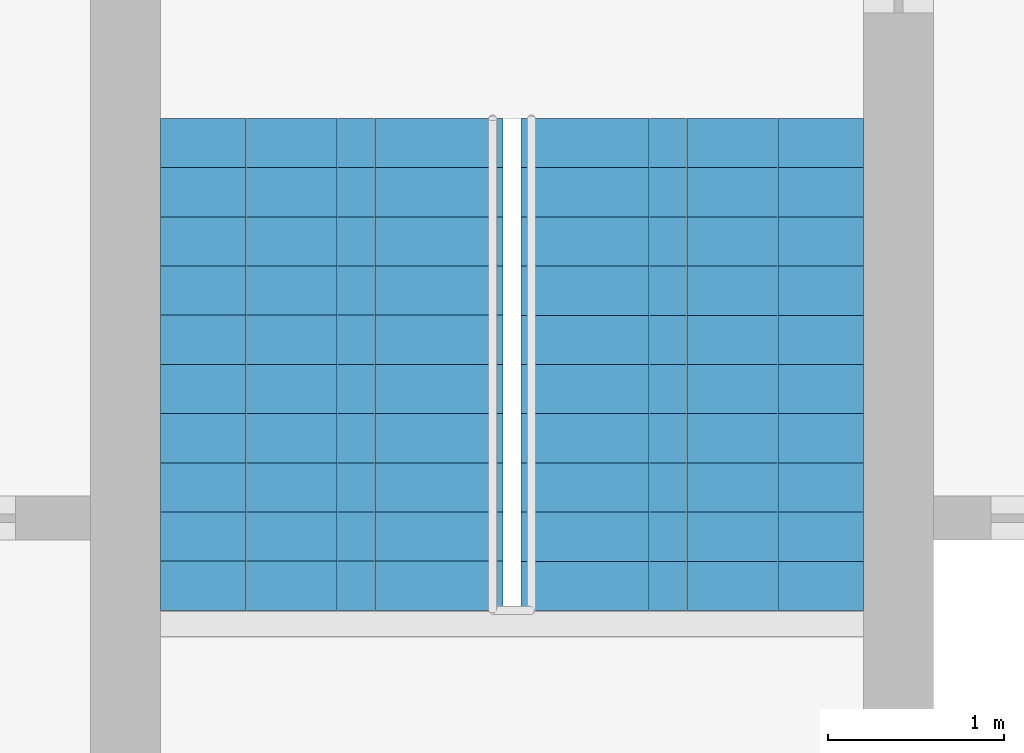
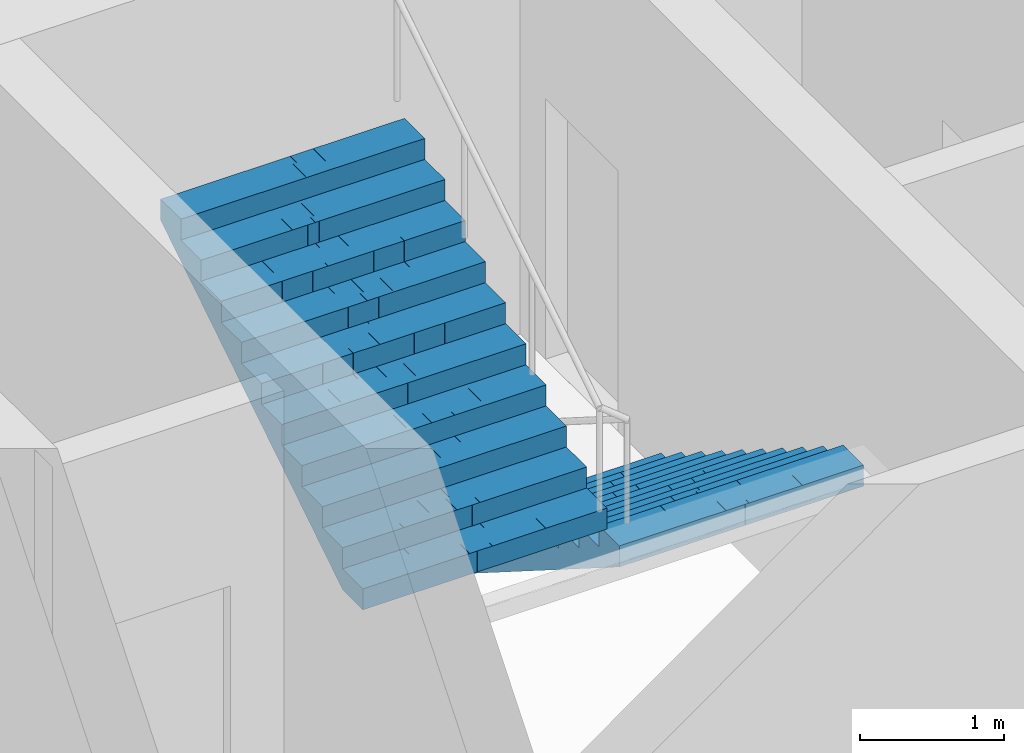
# One storey, part 21 of 22: 2 stair flights, 1 element without a shape of its own.
"""IFC4 building model written with IfcOpenShell, lengths in metres."""

from ifc_helpers import new_model, si_unit, direction, frame, origin, place, context, subcontext, project, spatial, polyline, outline, extrude, material, type_object, element, aggregate, save


model = new_model("IFC4")

# Units and contexts
model_context = context("Model", 3, precision=1e-05, world=origin(), true_north=direction((0.0, 1.0)))
body_context = subcontext(model_context, "Body", "Model", "MODEL_VIEW")
ifc_project = project(units=[si_unit("LENGTHUNIT", "METRE"), si_unit("AREAUNIT", "SQUARE_METRE"), si_unit("VOLUMEUNIT", "CUBIC_METRE"), si_unit("PLANEANGLEUNIT", "RADIAN"), si_unit("MASSUNIT", "GRAM", prefix="KILO")], contexts=[model_context])

# Site, building, storey
site_placement = place(None, origin())
site = spatial("IfcSite", under=ifc_project, at=site_placement, CompositionType="ELEMENT")
building_placement = place(site_placement, origin())
building = spatial("IfcBuilding", under=site, at=building_placement, Name="Mizan Broadcast Tower", CompositionType="ELEMENT")
storey_placement = place(building_placement, frame((0.0, 0.0, 105.89990234375)))
storey = spatial("IfcBuildingStorey", under=building, at=storey_placement, Name="L23", CompositionType="ELEMENT", Elevation=105.89990234375)

# Stair, stair flights
ifc_material_1 = material(Name="Concrete C40/50", Category="concrete")
stair_type = type_object("IfcStairType", Name="EXIT STAIR", PredefinedType="HALF_TURN_STAIR", material=ifc_material_1)
stair_placement = place(storey_placement, origin())
stair = element("IfcStair", 1, at=stair_placement, inside=storey, type_object=stair_type, Name="Stair B L23", PredefinedType="HALF_TURN_STAIR")
ifc_material_2 = material(Name="Concrete C40/50", Category="concrete")
stair_flight_type = type_object("IfcStairFlightType", Name="EXIT STAIR FLIGHT", PredefinedType="STRAIGHT", material=ifc_material_2)
stair_flight_1_placement = place(storey_placement, frame((1.02490234375, 7.89990234375, 0.0), z_axis=(0.0, 0.0, 1.0), x_axis=(0.0, -1.0, 0.0)))
stair_flight_1 = element("IfcStairFlight", 2, at=stair_flight_1_placement, type_object=stair_flight_type, Name="B flight 1", NumberOfRisers=11, NumberOfTreads=10, PredefinedType="STRAIGHT", RiserHeight=0.177272727, TreadLength=0.28, context=body_context, shape_type="SweptSolid", body=[
    extrude(outline(polyline([(0.0, 0.0), (0.0, 0.17724609375), (0.280029296875, 0.17724609375), (0.280029296875, 0.3544921875), (0.56005859375, 0.3544921875), (0.56005859375, 0.53173828125), (0.840087890625, 0.53173828125), (0.840087890625, 0.708984375), (1.1201171875, 0.708984375), (1.1201171875, 0.886474609375), (1.39990234375, 0.886474609375), (1.39990234375, 1.063720703125), (1.679931640625, 1.063720703125), (1.679931640625, 1.240966796875), (1.9599609375, 1.240966796875), (1.9599609375, 1.418212890625), (2.239990234375, 1.418212890625), (2.239990234375, 1.595458984375), (2.52001953125, 1.595458984375), (2.52001953125, 1.772705078125), (2.800048828125, 1.772705078125), (2.800048828125, 1.949951171875), (2.800048828125, 1.59521484375), (0.2802734375, 0.0), (0.0, 0.0)])), frame((0.0, 0.97509765625, 0.0), z_axis=(0.0, -1.0, 0.0), x_axis=(1.0, 0.0, 0.0)), (0.0, 0.0, 1.0), 0.4873046875),
    extrude(outline(polyline([(0.0, 0.0), (0.0, 0.17724609375), (0.280029296875, 0.17724609375), (0.280029296875, 0.3544921875), (0.56005859375, 0.3544921875), (0.56005859375, 0.53173828125), (0.840087890625, 0.53173828125), (0.840087890625, 0.708984375), (1.1201171875, 0.708984375), (1.1201171875, 0.886474609375), (1.39990234375, 0.886474609375), (1.39990234375, 1.063720703125), (1.679931640625, 1.063720703125), (1.679931640625, 1.240966796875), (1.9599609375, 1.240966796875), (1.9599609375, 1.418212890625), (2.239990234375, 1.418212890625), (2.239990234375, 1.595458984375), (2.52001953125, 1.595458984375), (2.52001953125, 1.772705078125), (2.800048828125, 1.772705078125), (2.800048828125, 1.949951171875), (2.800048828125, 1.59521484375), (0.2802734375, 0.0), (0.0, 0.0)])), frame((0.0, 0.4873046875, 0.0), z_axis=(0.0, -1.0, 0.0), x_axis=(1.0, 0.0, 0.0)), (0.0, 0.0, 1.0), 0.2431640625),
    extrude(outline(polyline([(0.0, 0.0), (0.0, 0.17724609375), (0.280029296875, 0.17724609375), (0.280029296875, 0.3544921875), (0.56005859375, 0.3544921875), (0.56005859375, 0.53173828125), (0.840087890625, 0.53173828125), (0.840087890625, 0.708984375), (1.1201171875, 0.708984375), (1.1201171875, 0.886474609375), (1.39990234375, 0.886474609375), (1.39990234375, 1.063720703125), (1.679931640625, 1.063720703125), (1.679931640625, 1.240966796875), (1.9599609375, 1.240966796875), (1.9599609375, 1.418212890625), (2.239990234375, 1.418212890625), (2.239990234375, 1.595458984375), (2.52001953125, 1.595458984375), (2.52001953125, 1.772705078125), (2.800048828125, 1.772705078125), (2.800048828125, 1.949951171875), (2.800048828125, 1.59521484375), (0.2802734375, 0.0), (0.0, 0.0)])), frame((0.0, 0.24365234375, 0.0), z_axis=(0.0, -1.0, 0.0), x_axis=(1.0, 0.0, 0.0)), (0.0, 0.0, 1.0), 0.121337890625),
    extrude(outline(polyline([(0.0, 0.0), (0.0, 0.17724609375), (0.280029296875, 0.17724609375), (0.280029296875, 0.3544921875), (0.56005859375, 0.3544921875), (0.56005859375, 0.53173828125), (0.840087890625, 0.53173828125), (0.840087890625, 0.708984375), (1.1201171875, 0.708984375), (1.1201171875, 0.886474609375), (1.39990234375, 0.886474609375), (1.39990234375, 1.063720703125), (1.679931640625, 1.063720703125), (1.679931640625, 1.240966796875), (1.9599609375, 1.240966796875), (1.9599609375, 1.418212890625), (2.239990234375, 1.418212890625), (2.239990234375, 1.595458984375), (2.52001953125, 1.595458984375), (2.52001953125, 1.772705078125), (2.800048828125, 1.772705078125), (2.800048828125, 1.949951171875), (2.800048828125, 1.59521484375), (0.2802734375, 0.0), (0.0, 0.0)])), frame((0.0, 0.121826171875, 0.0), z_axis=(0.0, -1.0, 0.0), x_axis=(1.0, 0.0, 0.0)), (0.0, 0.0, 1.0), 0.060546875),
    extrude(outline(polyline([(0.0, 0.0), (0.0, 0.17724609375), (0.280029296875, 0.17724609375), (0.280029296875, 0.3544921875), (0.56005859375, 0.3544921875), (0.56005859375, 0.53173828125), (0.840087890625, 0.53173828125), (0.840087890625, 0.708984375), (1.1201171875, 0.708984375), (1.1201171875, 0.886474609375), (1.39990234375, 0.886474609375), (1.39990234375, 1.063720703125), (1.679931640625, 1.063720703125), (1.679931640625, 1.240966796875), (1.9599609375, 1.240966796875), (1.9599609375, 1.418212890625), (2.239990234375, 1.418212890625), (2.239990234375, 1.595458984375), (2.52001953125, 1.595458984375), (2.52001953125, 1.772705078125), (2.800048828125, 1.772705078125), (2.800048828125, 1.949951171875), (2.800048828125, 1.59521484375), (0.2802734375, 0.0), (0.0, 0.0)])), frame((0.0, 0.060791015625, 0.0), z_axis=(0.0, -1.0, 0.0), x_axis=(1.0, 0.0, 0.0)), (0.0, 0.0, 1.0), 0.030029296875),
    extrude(outline(polyline([(0.0, 0.0), (0.0, 0.17724609375), (0.280029296875, 0.17724609375), (0.280029296875, 0.3544921875), (0.56005859375, 0.3544921875), (0.56005859375, 0.53173828125), (0.840087890625, 0.53173828125), (0.840087890625, 0.708984375), (1.1201171875, 0.708984375), (1.1201171875, 0.886474609375), (1.39990234375, 0.886474609375), (1.39990234375, 1.063720703125), (1.679931640625, 1.063720703125), (1.679931640625, 1.240966796875), (1.9599609375, 1.240966796875), (1.9599609375, 1.418212890625), (2.239990234375, 1.418212890625), (2.239990234375, 1.595458984375), (2.52001953125, 1.595458984375), (2.52001953125, 1.772705078125), (2.800048828125, 1.772705078125), (2.800048828125, 1.949951171875), (2.800048828125, 1.59521484375), (0.2802734375, 0.0), (0.0, 0.0)])), frame((0.0, 0.0302734375, 0.0), z_axis=(0.0, -1.0, 0.0), x_axis=(1.0, 0.0, 0.0)), (0.0, 0.0, 1.0), 0.060302734375),
    extrude(outline(polyline([(0.0, 0.0), (0.0, 0.17724609375), (0.280029296875, 0.17724609375), (0.280029296875, 0.3544921875), (0.56005859375, 0.3544921875), (0.56005859375, 0.53173828125), (0.840087890625, 0.53173828125), (0.840087890625, 0.708984375), (1.1201171875, 0.708984375), (1.1201171875, 0.886474609375), (1.39990234375, 0.886474609375), (1.39990234375, 1.063720703125), (1.679931640625, 1.063720703125), (1.679931640625, 1.240966796875), (1.9599609375, 1.240966796875), (1.9599609375, 1.418212890625), (2.239990234375, 1.418212890625), (2.239990234375, 1.595458984375), (2.52001953125, 1.595458984375), (2.52001953125, 1.772705078125), (2.800048828125, 1.772705078125), (2.800048828125, 1.949951171875), (2.800048828125, 1.59521484375), (0.2802734375, 0.0), (0.0, 0.0)])), frame((0.0, -0.030517578125, 0.0), z_axis=(0.0, -1.0, 0.0), x_axis=(1.0, 0.0, 0.0)), (0.0, 0.0, 1.0), 0.030029296875),
    extrude(outline(polyline([(0.0, 0.0), (0.0, 0.17724609375), (0.280029296875, 0.17724609375), (0.280029296875, 0.3544921875), (0.56005859375, 0.3544921875), (0.56005859375, 0.53173828125), (0.840087890625, 0.53173828125), (0.840087890625, 0.708984375), (1.1201171875, 0.708984375), (1.1201171875, 0.886474609375), (1.39990234375, 0.886474609375), (1.39990234375, 1.063720703125), (1.679931640625, 1.063720703125), (1.679931640625, 1.240966796875), (1.9599609375, 1.240966796875), (1.9599609375, 1.418212890625), (2.239990234375, 1.418212890625), (2.239990234375, 1.595458984375), (2.52001953125, 1.595458984375), (2.52001953125, 1.772705078125), (2.800048828125, 1.772705078125), (2.800048828125, 1.949951171875), (2.800048828125, 1.59521484375), (0.2802734375, 0.0), (0.0, 0.0)])), frame((0.0, -0.06103515625, 0.0), z_axis=(0.0, -1.0, 0.0), x_axis=(1.0, 0.0, 0.0)), (0.0, 0.0, 1.0), 0.060546875),
    extrude(outline(polyline([(0.0, 0.0), (0.0, 0.17724609375), (0.280029296875, 0.17724609375), (0.280029296875, 0.3544921875), (0.56005859375, 0.3544921875), (0.56005859375, 0.53173828125), (0.840087890625, 0.53173828125), (0.840087890625, 0.708984375), (1.1201171875, 0.708984375), (1.1201171875, 0.886474609375), (1.39990234375, 0.886474609375), (1.39990234375, 1.063720703125), (1.679931640625, 1.063720703125), (1.679931640625, 1.240966796875), (1.9599609375, 1.240966796875), (1.9599609375, 1.418212890625), (2.239990234375, 1.418212890625), (2.239990234375, 1.595458984375), (2.52001953125, 1.595458984375), (2.52001953125, 1.772705078125), (2.800048828125, 1.772705078125), (2.800048828125, 1.949951171875), (2.800048828125, 1.59521484375), (0.2802734375, 0.0), (0.0, 0.0)])), frame((0.0, -0.1220703125, 0.0), z_axis=(0.0, -1.0, 0.0), x_axis=(1.0, 0.0, 0.0)), (0.0, 0.0, 1.0), 0.121337890625),
    extrude(outline(polyline([(0.0, 0.0), (0.0, 0.17724609375), (0.280029296875, 0.17724609375), (0.280029296875, 0.3544921875), (0.56005859375, 0.3544921875), (0.56005859375, 0.53173828125), (0.840087890625, 0.53173828125), (0.840087890625, 0.708984375), (1.1201171875, 0.708984375), (1.1201171875, 0.886474609375), (1.39990234375, 0.886474609375), (1.39990234375, 1.063720703125), (1.679931640625, 1.063720703125), (1.679931640625, 1.240966796875), (1.9599609375, 1.240966796875), (1.9599609375, 1.418212890625), (2.239990234375, 1.418212890625), (2.239990234375, 1.595458984375), (2.52001953125, 1.595458984375), (2.52001953125, 1.772705078125), (2.800048828125, 1.772705078125), (2.800048828125, 1.949951171875), (2.800048828125, 1.59521484375), (0.2802734375, 0.0), (0.0, 0.0)])), frame((0.0, -0.243896484375, 0.0), z_axis=(0.0, -1.0, 0.0), x_axis=(1.0, 0.0, 0.0)), (0.0, 0.0, 1.0), 0.2431640625),
    extrude(outline(polyline([(0.0, 0.0), (0.0, 0.17724609375), (0.280029296875, 0.17724609375), (0.280029296875, 0.3544921875), (0.56005859375, 0.3544921875), (0.56005859375, 0.53173828125), (0.840087890625, 0.53173828125), (0.840087890625, 0.708984375), (1.1201171875, 0.708984375), (1.1201171875, 0.886474609375), (1.39990234375, 0.886474609375), (1.39990234375, 1.063720703125), (1.679931640625, 1.063720703125), (1.679931640625, 1.240966796875), (1.9599609375, 1.240966796875), (1.9599609375, 1.418212890625), (2.239990234375, 1.418212890625), (2.239990234375, 1.595458984375), (2.52001953125, 1.595458984375), (2.52001953125, 1.772705078125), (2.800048828125, 1.772705078125), (2.800048828125, 1.949951171875), (2.800048828125, 1.59521484375), (0.2802734375, 0.0), (0.0, 0.0)])), frame((0.0, -0.487548828125, 0.0), z_axis=(0.0, -1.0, 0.0), x_axis=(1.0, 0.0, 0.0)), (0.0, 0.0, 1.0), 0.4873046875),
])
stair_flight_2_placement = place(storey_placement, frame((-1.02490234375, 5.10009765625, 1.9501953125), z_axis=(0.0, 0.0, 1.0), x_axis=(0.0, 1.0, 0.0)))
stair_flight_2 = element("IfcStairFlight", 3, at=stair_flight_2_placement, type_object=stair_flight_type, Name="B flight 2", NumberOfRisers=11, NumberOfTreads=10, PredefinedType="STRAIGHT", RiserHeight=0.177272727, TreadLength=0.28, context=body_context, shape_type="SweptSolid", body=[
    extrude(outline(polyline([(0.0, 0.0), (0.0, 0.17724609375), (0.280029296875, 0.17724609375), (0.280029296875, 0.3544921875), (0.56005859375, 0.3544921875), (0.56005859375, 0.53173828125), (0.840087890625, 0.53173828125), (0.840087890625, 0.708984375), (1.1201171875, 0.708984375), (1.1201171875, 0.886474609375), (1.39990234375, 0.886474609375), (1.39990234375, 1.063720703125), (1.679931640625, 1.063720703125), (1.679931640625, 1.240966796875), (1.9599609375, 1.240966796875), (1.9599609375, 1.418212890625), (2.239990234375, 1.418212890625), (2.239990234375, 1.595458984375), (2.52001953125, 1.595458984375), (2.52001953125, 1.772705078125), (2.800048828125, 1.772705078125), (2.800048828125, 1.949951171875), (2.800048828125, 1.59521484375), (0.2802734375, 0.0), (0.0, 0.0)])), frame((0.0, 0.97509765625, 0.0), z_axis=(0.0, -1.0, 0.0), x_axis=(1.0, 0.0, 0.0)), (0.0, 0.0, 1.0), 0.4873046875),
    extrude(outline(polyline([(0.0, 0.0), (0.0, 0.17724609375), (0.280029296875, 0.17724609375), (0.280029296875, 0.3544921875), (0.56005859375, 0.3544921875), (0.56005859375, 0.53173828125), (0.840087890625, 0.53173828125), (0.840087890625, 0.708984375), (1.1201171875, 0.708984375), (1.1201171875, 0.886474609375), (1.39990234375, 0.886474609375), (1.39990234375, 1.063720703125), (1.679931640625, 1.063720703125), (1.679931640625, 1.240966796875), (1.9599609375, 1.240966796875), (1.9599609375, 1.418212890625), (2.239990234375, 1.418212890625), (2.239990234375, 1.595458984375), (2.52001953125, 1.595458984375), (2.52001953125, 1.772705078125), (2.800048828125, 1.772705078125), (2.800048828125, 1.949951171875), (2.800048828125, 1.59521484375), (0.2802734375, 0.0), (0.0, 0.0)])), frame((0.0, 0.4873046875, 0.0), z_axis=(0.0, -1.0, 0.0), x_axis=(1.0, 0.0, 0.0)), (0.0, 0.0, 1.0), 0.2431640625),
    extrude(outline(polyline([(0.0, 0.0), (0.0, 0.17724609375), (0.280029296875, 0.17724609375), (0.280029296875, 0.3544921875), (0.56005859375, 0.3544921875), (0.56005859375, 0.53173828125), (0.840087890625, 0.53173828125), (0.840087890625, 0.708984375), (1.1201171875, 0.708984375), (1.1201171875, 0.886474609375), (1.39990234375, 0.886474609375), (1.39990234375, 1.063720703125), (1.679931640625, 1.063720703125), (1.679931640625, 1.240966796875), (1.9599609375, 1.240966796875), (1.9599609375, 1.418212890625), (2.239990234375, 1.418212890625), (2.239990234375, 1.595458984375), (2.52001953125, 1.595458984375), (2.52001953125, 1.772705078125), (2.800048828125, 1.772705078125), (2.800048828125, 1.949951171875), (2.800048828125, 1.59521484375), (0.2802734375, 0.0), (0.0, 0.0)])), frame((0.0, 0.24365234375, 0.0), z_axis=(0.0, -1.0, 0.0), x_axis=(1.0, 0.0, 0.0)), (0.0, 0.0, 1.0), 0.121337890625),
    extrude(outline(polyline([(0.0, 0.0), (0.0, 0.17724609375), (0.280029296875, 0.17724609375), (0.280029296875, 0.3544921875), (0.56005859375, 0.3544921875), (0.56005859375, 0.53173828125), (0.840087890625, 0.53173828125), (0.840087890625, 0.708984375), (1.1201171875, 0.708984375), (1.1201171875, 0.886474609375), (1.39990234375, 0.886474609375), (1.39990234375, 1.063720703125), (1.679931640625, 1.063720703125), (1.679931640625, 1.240966796875), (1.9599609375, 1.240966796875), (1.9599609375, 1.418212890625), (2.239990234375, 1.418212890625), (2.239990234375, 1.595458984375), (2.52001953125, 1.595458984375), (2.52001953125, 1.772705078125), (2.800048828125, 1.772705078125), (2.800048828125, 1.949951171875), (2.800048828125, 1.59521484375), (0.2802734375, 0.0), (0.0, 0.0)])), frame((0.0, 0.121826171875, 0.0), z_axis=(0.0, -1.0, 0.0), x_axis=(1.0, 0.0, 0.0)), (0.0, 0.0, 1.0), 0.060546875),
    extrude(outline(polyline([(0.0, 0.0), (0.0, 0.17724609375), (0.280029296875, 0.17724609375), (0.280029296875, 0.3544921875), (0.56005859375, 0.3544921875), (0.56005859375, 0.53173828125), (0.840087890625, 0.53173828125), (0.840087890625, 0.708984375), (1.1201171875, 0.708984375), (1.1201171875, 0.886474609375), (1.39990234375, 0.886474609375), (1.39990234375, 1.063720703125), (1.679931640625, 1.063720703125), (1.679931640625, 1.240966796875), (1.9599609375, 1.240966796875), (1.9599609375, 1.418212890625), (2.239990234375, 1.418212890625), (2.239990234375, 1.595458984375), (2.52001953125, 1.595458984375), (2.52001953125, 1.772705078125), (2.800048828125, 1.772705078125), (2.800048828125, 1.949951171875), (2.800048828125, 1.59521484375), (0.2802734375, 0.0), (0.0, 0.0)])), frame((0.0, 0.060791015625, 0.0), z_axis=(0.0, -1.0, 0.0), x_axis=(1.0, 0.0, 0.0)), (0.0, 0.0, 1.0), 0.030029296875),
    extrude(outline(polyline([(0.0, 0.0), (0.0, 0.17724609375), (0.280029296875, 0.17724609375), (0.280029296875, 0.3544921875), (0.56005859375, 0.3544921875), (0.56005859375, 0.53173828125), (0.840087890625, 0.53173828125), (0.840087890625, 0.708984375), (1.1201171875, 0.708984375), (1.1201171875, 0.886474609375), (1.39990234375, 0.886474609375), (1.39990234375, 1.063720703125), (1.679931640625, 1.063720703125), (1.679931640625, 1.240966796875), (1.9599609375, 1.240966796875), (1.9599609375, 1.418212890625), (2.239990234375, 1.418212890625), (2.239990234375, 1.595458984375), (2.52001953125, 1.595458984375), (2.52001953125, 1.772705078125), (2.800048828125, 1.772705078125), (2.800048828125, 1.949951171875), (2.800048828125, 1.59521484375), (0.2802734375, 0.0), (0.0, 0.0)])), frame((0.0, 0.0302734375, 0.0), z_axis=(0.0, -1.0, 0.0), x_axis=(1.0, 0.0, 0.0)), (0.0, 0.0, 1.0), 0.060302734375),
    extrude(outline(polyline([(0.0, 0.0), (0.0, 0.17724609375), (0.280029296875, 0.17724609375), (0.280029296875, 0.3544921875), (0.56005859375, 0.3544921875), (0.56005859375, 0.53173828125), (0.840087890625, 0.53173828125), (0.840087890625, 0.708984375), (1.1201171875, 0.708984375), (1.1201171875, 0.886474609375), (1.39990234375, 0.886474609375), (1.39990234375, 1.063720703125), (1.679931640625, 1.063720703125), (1.679931640625, 1.240966796875), (1.9599609375, 1.240966796875), (1.9599609375, 1.418212890625), (2.239990234375, 1.418212890625), (2.239990234375, 1.595458984375), (2.52001953125, 1.595458984375), (2.52001953125, 1.772705078125), (2.800048828125, 1.772705078125), (2.800048828125, 1.949951171875), (2.800048828125, 1.59521484375), (0.2802734375, 0.0), (0.0, 0.0)])), frame((0.0, -0.030517578125, 0.0), z_axis=(0.0, -1.0, 0.0), x_axis=(1.0, 0.0, 0.0)), (0.0, 0.0, 1.0), 0.030029296875),
    extrude(outline(polyline([(0.0, 0.0), (0.0, 0.17724609375), (0.280029296875, 0.17724609375), (0.280029296875, 0.3544921875), (0.56005859375, 0.3544921875), (0.56005859375, 0.53173828125), (0.840087890625, 0.53173828125), (0.840087890625, 0.708984375), (1.1201171875, 0.708984375), (1.1201171875, 0.886474609375), (1.39990234375, 0.886474609375), (1.39990234375, 1.063720703125), (1.679931640625, 1.063720703125), (1.679931640625, 1.240966796875), (1.9599609375, 1.240966796875), (1.9599609375, 1.418212890625), (2.239990234375, 1.418212890625), (2.239990234375, 1.595458984375), (2.52001953125, 1.595458984375), (2.52001953125, 1.772705078125), (2.800048828125, 1.772705078125), (2.800048828125, 1.949951171875), (2.800048828125, 1.59521484375), (0.2802734375, 0.0), (0.0, 0.0)])), frame((0.0, -0.06103515625, 0.0), z_axis=(0.0, -1.0, 0.0), x_axis=(1.0, 0.0, 0.0)), (0.0, 0.0, 1.0), 0.060546875),
    extrude(outline(polyline([(0.0, 0.0), (0.0, 0.17724609375), (0.280029296875, 0.17724609375), (0.280029296875, 0.3544921875), (0.56005859375, 0.3544921875), (0.56005859375, 0.53173828125), (0.840087890625, 0.53173828125), (0.840087890625, 0.708984375), (1.1201171875, 0.708984375), (1.1201171875, 0.886474609375), (1.39990234375, 0.886474609375), (1.39990234375, 1.063720703125), (1.679931640625, 1.063720703125), (1.679931640625, 1.240966796875), (1.9599609375, 1.240966796875), (1.9599609375, 1.418212890625), (2.239990234375, 1.418212890625), (2.239990234375, 1.595458984375), (2.52001953125, 1.595458984375), (2.52001953125, 1.772705078125), (2.800048828125, 1.772705078125), (2.800048828125, 1.949951171875), (2.800048828125, 1.59521484375), (0.2802734375, 0.0), (0.0, 0.0)])), frame((0.0, -0.1220703125, 0.0), z_axis=(0.0, -1.0, 0.0), x_axis=(1.0, 0.0, 0.0)), (0.0, 0.0, 1.0), 0.121337890625),
    extrude(outline(polyline([(0.0, 0.0), (0.0, 0.17724609375), (0.280029296875, 0.17724609375), (0.280029296875, 0.3544921875), (0.56005859375, 0.3544921875), (0.56005859375, 0.53173828125), (0.840087890625, 0.53173828125), (0.840087890625, 0.708984375), (1.1201171875, 0.708984375), (1.1201171875, 0.886474609375), (1.39990234375, 0.886474609375), (1.39990234375, 1.063720703125), (1.679931640625, 1.063720703125), (1.679931640625, 1.240966796875), (1.9599609375, 1.240966796875), (1.9599609375, 1.418212890625), (2.239990234375, 1.418212890625), (2.239990234375, 1.595458984375), (2.52001953125, 1.595458984375), (2.52001953125, 1.772705078125), (2.800048828125, 1.772705078125), (2.800048828125, 1.949951171875), (2.800048828125, 1.59521484375), (0.2802734375, 0.0), (0.0, 0.0)])), frame((0.0, -0.243896484375, 0.0), z_axis=(0.0, -1.0, 0.0), x_axis=(1.0, 0.0, 0.0)), (0.0, 0.0, 1.0), 0.2431640625),
    extrude(outline(polyline([(0.0, 0.0), (0.0, 0.17724609375), (0.280029296875, 0.17724609375), (0.280029296875, 0.3544921875), (0.56005859375, 0.3544921875), (0.56005859375, 0.53173828125), (0.840087890625, 0.53173828125), (0.840087890625, 0.708984375), (1.1201171875, 0.708984375), (1.1201171875, 0.886474609375), (1.39990234375, 0.886474609375), (1.39990234375, 1.063720703125), (1.679931640625, 1.063720703125), (1.679931640625, 1.240966796875), (1.9599609375, 1.240966796875), (1.9599609375, 1.418212890625), (2.239990234375, 1.418212890625), (2.239990234375, 1.595458984375), (2.52001953125, 1.595458984375), (2.52001953125, 1.772705078125), (2.800048828125, 1.772705078125), (2.800048828125, 1.949951171875), (2.800048828125, 1.59521484375), (0.2802734375, 0.0), (0.0, 0.0)])), frame((0.0, -0.487548828125, 0.0), z_axis=(0.0, -1.0, 0.0), x_axis=(1.0, 0.0, 0.0)), (0.0, 0.0, 1.0), 0.4873046875),
])
aggregate(stair, [stair_flight_1, stair_flight_2])

save(model, "model.ifc")
